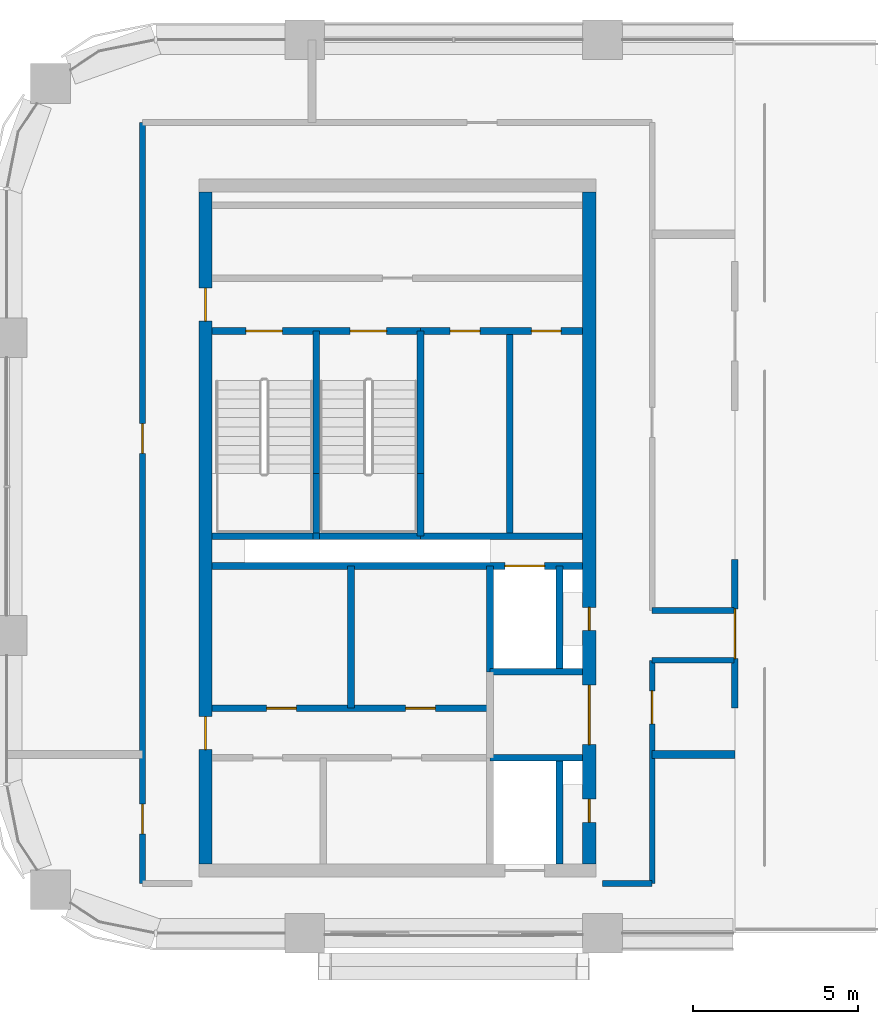
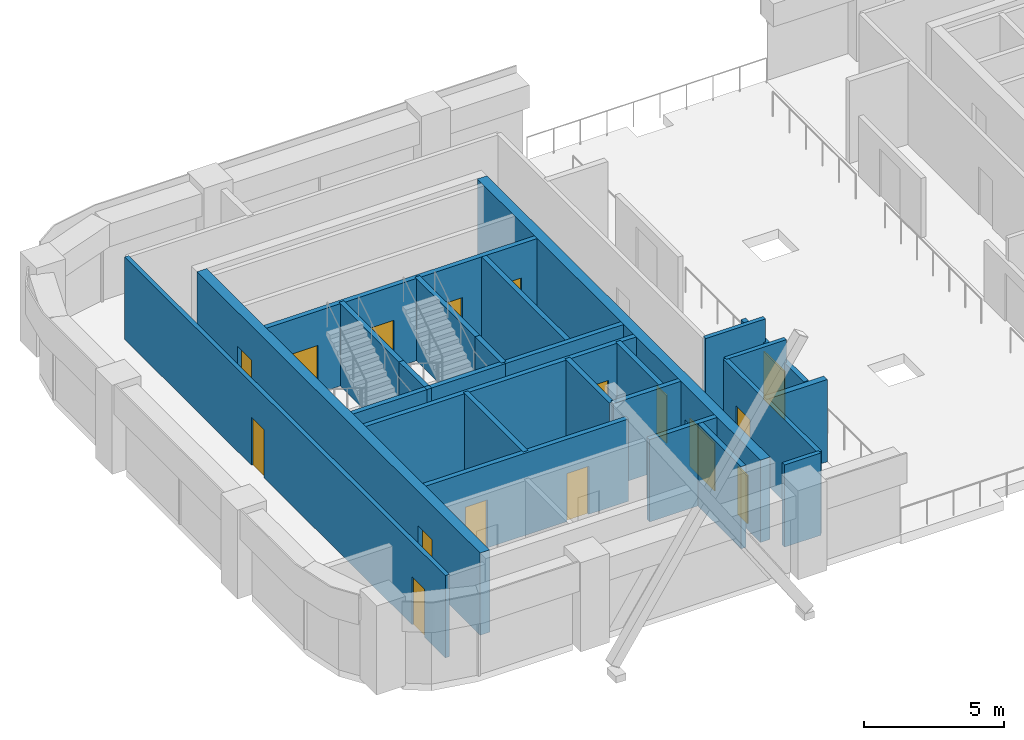
# One storey, part 6 of 11: 28 walls, 16 doors, 16 openings.
"""IFC4 building model written with IfcOpenShell, lengths in metres."""

from ifc_helpers import new_model, si_unit, direction, frame, frame_2d, origin, place, context, subcontext, project, spatial, rectangle, extrude, material, layer, layer_set, type_object, element, fill, save


model = new_model("IFC4")

# Units and contexts
model_context = context("Model", 3, precision=1e-05, world=origin(), true_north=direction((0.0, 1.0)))
body_context = subcontext(model_context, "Body", "Model", "MODEL_VIEW")
ifc_project = project(units=[si_unit("LENGTHUNIT", "METRE"), si_unit("AREAUNIT", "SQUARE_METRE"), si_unit("VOLUMEUNIT", "CUBIC_METRE"), si_unit("PLANEANGLEUNIT", "RADIAN"), si_unit("MASSUNIT", "GRAM", prefix="KILO")], contexts=[model_context])

# Site, building, storey
site_placement = place(None, origin())
site = spatial("IfcSite", under=ifc_project, at=site_placement, CompositionType="ELEMENT")
building_placement = place(site_placement, origin())
building = spatial("IfcBuilding", under=site, at=building_placement, Name="Tessera Arch", CompositionType="ELEMENT")
storey_placement = place(building_placement, frame((0.0, 0.0, 203.300048828125)))
storey = spatial("IfcBuildingStorey", under=building, at=storey_placement, Name="L48", CompositionType="ELEMENT", Elevation=203.300048828125)

# Walls
ifc_material_1 = material(Name="Gypsum board on steel stud", Category="steel")
ifc_layer_1 = layer(ifc_material_1, 0.125)
ifc_layer_set_1 = layer_set([ifc_layer_1], Name="Core partition 125 EI 60")
wall_type_1 = type_object("IfcWallType", Name="Core partition 125 EI 60", PredefinedType="PARTITIONING", material=ifc_layer_set_1)
wall_1_placement = place(storey_placement, frame((10.39990234375, 33.800048828125, 0.0), z_axis=(0.0, 0.0, 1.0), x_axis=(0.0, 1.0, 0.0)))
element("IfcWall", 1, at=wall_1_placement, inside=storey, type_object=wall_type_1, Name="L48 C2 partition wall 4", PredefinedType="PARTITIONING", context=body_context, shape_type="SweptSolid", body=[
    extrude(rectangle(XDim=4.300048828125, YDim=0.199951171875, at=frame_2d((2.14990234375, 0.0))), origin(), (0.0, 0.0, 1.0), 3.599853515625),
])
wall_2_placement = place(storey_placement, frame((15.195068359375, 39.0, 0.0), z_axis=(0.0, 0.0, 1.0), x_axis=(0.0, 1.0, 0.0)))
element("IfcWall", 2, at=wall_2_placement, inside=storey, type_object=wall_type_1, Name="L48 C2 partition wall 10", PredefinedType="PARTITIONING", context=body_context, shape_type="SweptSolid", body=[
    extrude(rectangle(XDim=6.199951171875, YDim=0.199951171875, at=frame_2d((3.10009765625, 0.0))), origin(), (0.0, 0.0, 1.0), 3.599853515625),
])

# Wall, openings, doors
wall_3_placement = place(storey_placement, frame((6.199951171875, 33.800048828125, 0.0), z_axis=(0.0, 0.0, 1.0), x_axis=(1.0, 0.0, 0.0)))
wall_3 = element("IfcWall", 3, at=wall_3_placement, inside=storey, type_object=wall_type_1, Name="L48 C2 partition wall 15", PredefinedType="PARTITIONING", context=body_context, shape_type="SweptSolid", body=[
    extrude(rectangle(XDim=8.400146484375, YDim=0.199951171875, at=frame_2d((4.2001953125, 0.0))), origin(), (0.0, 0.0, 1.0), 3.599853515625),
])
opening_1_placement = place(wall_3_placement, frame((1.64990234375, 0.0, 0.0)))
opening_1 = element("IfcOpeningElement", 4, at=opening_1_placement, cuts=wall_3, Name="Opening L48-C34", PredefinedType="OPENING", context=body_context, shape_type="SweptSolid", body=[
    extrude(rectangle(XDim=0.89990234375, YDim=2.10009765625, at=frame_2d((0.449951171875, 1.050048828125))), frame((0.0, 0.10986328125, 0.0), z_axis=(0.0, -1.0, 0.0), x_axis=(1.0, 0.0, 0.0)), (0.0, 0.0, 1.0), 0.219970703125),
])
opening_2_placement = place(wall_3_placement, frame((5.85009765625, 0.0, 0.0)))
opening_2 = element("IfcOpeningElement", 5, at=opening_2_placement, cuts=wall_3, Name="Opening L48-C35", PredefinedType="OPENING", context=body_context, shape_type="SweptSolid", body=[
    extrude(rectangle(XDim=0.89990234375, YDim=2.10009765625, at=frame_2d((0.449951171875, 1.050048828125))), frame((0.0, 0.10986328125, 0.0), z_axis=(0.0, -1.0, 0.0), x_axis=(1.0, 0.0, 0.0)), (0.0, 0.0, 1.0), 0.219970703125),
])
ifc_material_2 = material(Name="Steel door leaf", Category="steel")
door_type_1 = type_object("IfcDoorType", Name="Store door FD30S 900 x 2100", OperationType="SINGLE_SWING_LEFT", PredefinedType="DOOR", material=ifc_material_2)
door_1_placement = place(opening_1_placement, origin())
door_1 = element("IfcDoor", 6, at=door_1_placement, inside=storey, type_object=door_type_1, Name="L48 C2 door 15 C34 type D09", OperationType="SINGLE_SWING_LEFT", OverallHeight=2.10009765625, OverallWidth=0.89990234375, PredefinedType="DOOR", context=body_context, shape_type="SweptSolid", body=[
    extrude(rectangle(XDim=0.89990234375, YDim=2.10009765625, at=frame_2d((0.449951171875, 1.050048828125))), frame((0.0, 0.02490234375, 0.0), z_axis=(0.0, -1.0, 0.0), x_axis=(1.0, 0.0, 0.0)), (0.0, 0.0, 1.0), 0.050048828125),
])
fill(opening_1, door_1)
door_2_placement = place(opening_2_placement, origin())
door_2 = element("IfcDoor", 7, at=door_2_placement, inside=storey, type_object=door_type_1, Name="L48 C2 door 16 C35 type D09", OperationType="SINGLE_SWING_RIGHT", OverallHeight=2.10009765625, OverallWidth=0.89990234375, PredefinedType="DOOR", context=body_context, shape_type="SweptSolid", body=[
    extrude(rectangle(XDim=0.89990234375, YDim=2.10009765625, at=frame_2d((0.449951171875, 1.050048828125))), frame((0.0, 0.02490234375, 0.0), z_axis=(0.0, -1.0, 0.0), x_axis=(1.0, 0.0, 0.0)), (0.0, 0.0, 1.0), 0.050048828125),
])
fill(opening_2, door_2)

wall_4_placement = place(storey_placement, frame((12.5, 45.199951171875, 0.0), z_axis=(0.0, 0.0, 1.0), x_axis=(1.0, 0.0, 0.0)))
wall_4 = element("IfcWall", 8, at=wall_4_placement, inside=storey, type_object=wall_type_1, Name="L48 C2 partition wall 22", PredefinedType="PARTITIONING", context=body_context, shape_type="SweptSolid", body=[
    extrude(rectangle(XDim=4.89990234375, YDim=0.199951171875, at=frame_2d((2.449951171875, 0.0))), origin(), (0.0, 0.0, 1.0), 3.599853515625),
])
opening_3_placement = place(wall_4_placement, frame((0.8974609375, 0.0, 0.0)))
opening_3 = element("IfcOpeningElement", 9, at=opening_3_placement, cuts=wall_4, Name="Opening L48-C30", PredefinedType="OPENING", context=body_context, shape_type="SweptSolid", body=[
    extrude(rectangle(XDim=0.89990234375, YDim=2.10009765625, at=frame_2d((0.449951171875, 1.050048828125))), frame((0.0, 0.10986328125, 0.0), z_axis=(0.0, -1.0, 0.0), x_axis=(1.0, 0.0, 0.0)), (0.0, 0.0, 1.0), 0.219970703125),
])
opening_4_placement = place(wall_4_placement, frame((3.347412109375, 0.0, 0.0)))
opening_4 = element("IfcOpeningElement", 10, at=opening_4_placement, cuts=wall_4, Name="Opening L48-C31", PredefinedType="OPENING", context=body_context, shape_type="SweptSolid", body=[
    extrude(rectangle(XDim=0.89990234375, YDim=2.10009765625, at=frame_2d((0.449951171875, 1.050048828125))), frame((0.0, 0.10986328125, 0.0), z_axis=(0.0, -1.0, 0.0), x_axis=(1.0, 0.0, 0.0)), (0.0, 0.0, 1.0), 0.219970703125),
])
door_3_placement = place(opening_3_placement, origin())
door_3 = element("IfcDoor", 11, at=door_3_placement, inside=storey, type_object=door_type_1, Name="L48 C2 door 11 C30 type D09", OperationType="SINGLE_SWING_LEFT", OverallHeight=2.10009765625, OverallWidth=0.89990234375, PredefinedType="DOOR", context=body_context, shape_type="SweptSolid", body=[
    extrude(rectangle(XDim=0.89990234375, YDim=2.10009765625, at=frame_2d((0.449951171875, 1.050048828125))), frame((0.0, 0.02490234375, 0.0), z_axis=(0.0, -1.0, 0.0), x_axis=(1.0, 0.0, 0.0)), (0.0, 0.0, 1.0), 0.050048828125),
])
fill(opening_3, door_3)
door_4_placement = place(opening_4_placement, origin())
door_4 = element("IfcDoor", 12, at=door_4_placement, inside=storey, type_object=door_type_1, Name="L48 C2 door 12 C31 type D09", OperationType="SINGLE_SWING_RIGHT", OverallHeight=2.10009765625, OverallWidth=0.89990234375, PredefinedType="DOOR", context=body_context, shape_type="SweptSolid", body=[
    extrude(rectangle(XDim=0.89990234375, YDim=2.10009765625, at=frame_2d((0.449951171875, 1.050048828125))), frame((0.0, 0.02490234375, 0.0), z_axis=(0.0, -1.0, 0.0), x_axis=(1.0, 0.0, 0.0)), (0.0, 0.0, 1.0), 0.050048828125),
])
fill(opening_4, door_4)

ifc_material_3 = material(Name="Concrete C50/60", Category="concrete")
ifc_layer_2 = layer(ifc_material_3, 0.39990234375)
ifc_layer_set_2 = layer_set([ifc_layer_2], Name="Core shell wall 400 C50-60")
wall_type_2 = type_object("IfcWallType", Name="Core shell wall 400 C50-60", PredefinedType="SHEAR", material=ifc_layer_set_2)
wall_5_placement = place(storey_placement, frame((6.0, 29.10009765625, 0.0), z_axis=(0.0, 0.0, 1.0), x_axis=(0.0, 1.0, 0.0)))
wall_5 = element("IfcWall", 13, at=wall_5_placement, inside=storey, type_object=wall_type_2, Name="L48 C2 core wall W", PredefinedType="SHEAR", context=body_context, shape_type="SweptSolid", body=[
    extrude(rectangle(XDim=20.2998046875, YDim=0.39990234375, at=frame_2d((10.14990234375, 0.0))), origin(), (0.0, 0.0, 1.0), 3.599853515625),
])
opening_5_placement = place(wall_5_placement, frame((3.449951171875, 0.0, 0.0)))
opening_5 = element("IfcOpeningElement", 14, at=opening_5_placement, cuts=wall_5, Name="Opening L48-C27", PredefinedType="OPENING", context=body_context, shape_type="SweptSolid", body=[
    extrude(rectangle(XDim=1.0, YDim=2.10009765625, at=frame_2d((0.5, 1.050048828125))), frame((0.0, 0.2099609375, 0.0), z_axis=(0.0, -1.0, 0.0), x_axis=(1.0, 0.0, 0.0)), (0.0, 0.0, 1.0), 0.419921875),
])
opening_6_placement = place(wall_5_placement, frame((16.39990234375, 0.0, 0.0)))
opening_6 = element("IfcOpeningElement", 15, at=opening_6_placement, cuts=wall_5, Name="Opening L48-C28", PredefinedType="OPENING", context=body_context, shape_type="SweptSolid", body=[
    extrude(rectangle(XDim=1.0, YDim=2.10009765625, at=frame_2d((0.5, 1.050048828125))), frame((0.0, 0.2099609375, 0.0), z_axis=(0.0, -1.0, 0.0), x_axis=(1.0, 0.0, 0.0)), (0.0, 0.0, 1.0), 0.419921875),
])
ifc_material_4 = material(Name="Steel door leaf", Category="steel")
door_type_2 = type_object("IfcDoorType", Name="Corridor door FD60 1000 x 2100", OperationType="SINGLE_SWING_LEFT", PredefinedType="DOOR", material=ifc_material_4)
door_5_placement = place(opening_5_placement, origin())
door_5 = element("IfcDoor", 16, at=door_5_placement, inside=storey, type_object=door_type_2, Name="L48 C2 door 8 C27 type D12", OperationType="SINGLE_SWING_LEFT", OverallHeight=2.10009765625, OverallWidth=1.0, PredefinedType="DOOR", context=body_context, shape_type="SweptSolid", body=[
    extrude(rectangle(XDim=1.0, YDim=2.10009765625, at=frame_2d((0.5, 1.050048828125))), frame((0.0, 0.02490234375, 0.0), z_axis=(0.0, -1.0, 0.0), x_axis=(1.0, 0.0, 0.0)), (0.0, 0.0, 1.0), 0.050048828125),
])
fill(opening_5, door_5)
door_6_placement = place(opening_6_placement, origin())
door_6 = element("IfcDoor", 17, at=door_6_placement, inside=storey, type_object=door_type_2, Name="L48 C2 door 9 C28 type D12", OperationType="SINGLE_SWING_RIGHT", OverallHeight=2.10009765625, OverallWidth=1.0, PredefinedType="DOOR", context=body_context, shape_type="SweptSolid", body=[
    extrude(rectangle(XDim=1.0, YDim=2.10009765625, at=frame_2d((0.5, 1.050048828125))), frame((0.0, 0.02490234375, 0.0), z_axis=(0.0, -1.0, 0.0), x_axis=(1.0, 0.0, 0.0)), (0.0, 0.0, 1.0), 0.050048828125),
])
fill(opening_6, door_6)

wall_6_placement = place(storey_placement, frame((17.60009765625, 29.10009765625, 0.0), z_axis=(0.0, 0.0, 1.0), x_axis=(0.0, 1.0, 0.0)))
wall_6 = element("IfcWall", 18, at=wall_6_placement, inside=storey, type_object=wall_type_2, Name="L48 C2 core wall E", PredefinedType="SHEAR", context=body_context, shape_type="SweptSolid", body=[
    extrude(rectangle(XDim=20.2998046875, YDim=0.39990234375, at=frame_2d((10.14990234375, 0.0))), origin(), (0.0, 0.0, 1.0), 3.599853515625),
])
opening_7_placement = place(wall_6_placement, frame((1.25, 0.0, 0.0)))
opening_7 = element("IfcOpeningElement", 19, at=opening_7_placement, cuts=wall_6, Name="Opening L48-C22", PredefinedType="OPENING", context=body_context, shape_type="SweptSolid", body=[
    extrude(rectangle(XDim=0.699951171875, YDim=2.10009765625, at=frame_2d((0.35009765625, 1.050048828125))), frame((0.0, 0.2099609375, 0.0), z_axis=(0.0, -1.0, 0.0), x_axis=(1.0, 0.0, 0.0)), (0.0, 0.0, 1.0), 0.419921875),
])
opening_8_placement = place(wall_6_placement, frame((7.050048828125, 0.0, 0.0)))
opening_8 = element("IfcOpeningElement", 20, at=opening_8_placement, cuts=wall_6, Name="Opening L48-C23", PredefinedType="OPENING", context=body_context, shape_type="SweptSolid", body=[
    extrude(rectangle(XDim=0.699951171875, YDim=2.10009765625, at=frame_2d((0.35009765625, 1.050048828125))), frame((0.0, 0.2099609375, 0.0), z_axis=(0.0, -1.0, 0.0), x_axis=(1.0, 0.0, 0.0)), (0.0, 0.0, 1.0), 0.419921875),
])
opening_9_placement = place(wall_6_placement, frame((3.60009765625, 0.0, 0.0)))
opening_9 = element("IfcOpeningElement", 21, at=opening_9_placement, cuts=wall_6, Name="Opening L48-C26", PredefinedType="OPENING", context=body_context, shape_type="SweptSolid", body=[
    extrude(rectangle(XDim=1.800048828125, YDim=2.10009765625, at=frame_2d((0.89990234375, 1.050048828125))), frame((0.0, 0.2099609375, 0.0), z_axis=(0.0, -1.0, 0.0), x_axis=(1.0, 0.0, 0.0)), (0.0, 0.0, 1.0), 0.419921875),
])
ifc_material_5 = material(Name="Glazed steel door leaf", Category="steel")
door_type_3 = type_object("IfcDoorType", Name="Lobby double door FD30S 1800 x 2100", OperationType="DOUBLE_DOOR_SINGLE_SWING", PredefinedType="DOOR", material=ifc_material_5)
door_7_placement = place(opening_9_placement, origin())
door_7 = element("IfcDoor", 22, at=door_7_placement, inside=storey, type_object=door_type_3, Name="L48 C2 door 7 C26 type D06", OperationType="DOUBLE_DOOR_SINGLE_SWING", OverallHeight=2.10009765625, OverallWidth=1.800048828125, PredefinedType="DOOR", context=body_context, shape_type="SweptSolid", body=[
    extrude(rectangle(XDim=1.800048828125, YDim=2.10009765625, at=frame_2d((0.89990234375, 1.050048828125))), frame((0.0, 0.02490234375, 0.0), z_axis=(0.0, -1.0, 0.0), x_axis=(1.0, 0.0, 0.0)), (0.0, 0.0, 1.0), 0.050048828125),
])
fill(opening_9, door_7)
ifc_material_6 = material(Name="Steel door leaf", Category="steel")
door_type_4 = type_object("IfcDoorType", Name="Service shaft door FD60 700 x 2100", OperationType="SINGLE_SWING_LEFT", PredefinedType="DOOR", material=ifc_material_6)
door_8_placement = place(opening_7_placement, origin())
door_8 = element("IfcDoor", 23, at=door_8_placement, inside=storey, type_object=door_type_4, Name="L48 C2 door 3 C22 type D07", OperationType="SINGLE_SWING_LEFT", OverallHeight=2.10009765625, OverallWidth=0.699951171875, PredefinedType="DOOR", context=body_context, shape_type="SweptSolid", body=[
    extrude(rectangle(XDim=0.699951171875, YDim=2.10009765625, at=frame_2d((0.35009765625, 1.050048828125))), frame((0.0, 0.02490234375, 0.0), z_axis=(0.0, -1.0, 0.0), x_axis=(1.0, 0.0, 0.0)), (0.0, 0.0, 1.0), 0.050048828125),
])
fill(opening_7, door_8)
door_9_placement = place(opening_8_placement, origin())
door_9 = element("IfcDoor", 24, at=door_9_placement, inside=storey, type_object=door_type_4, Name="L48 C2 door 4 C23 type D07", OperationType="SINGLE_SWING_LEFT", OverallHeight=2.10009765625, OverallWidth=0.699951171875, PredefinedType="DOOR", context=body_context, shape_type="SweptSolid", body=[
    extrude(rectangle(XDim=0.699951171875, YDim=2.10009765625, at=frame_2d((0.35009765625, 1.050048828125))), frame((0.0, 0.02490234375, 0.0), z_axis=(0.0, -1.0, 0.0), x_axis=(1.0, 0.0, 0.0)), (0.0, 0.0, 1.0), 0.050048828125),
])
fill(opening_8, door_9)

# Walls
ifc_material_7 = material(Name="Gypsum board on deep steel stud with mineral wool", Category="steel")
ifc_layer_3 = layer(ifc_material_7, 0.175048828125)
ifc_layer_set_3 = layer_set([ifc_layer_3], Name="Corridor wall 175 EI 60")
wall_type_3 = type_object("IfcWallType", Name="Corridor wall 175 EI 60", PredefinedType="PARTITIONING", material=ifc_layer_set_3)
wall_7_placement = place(storey_placement, frame((18.0, 28.5, 0.0), z_axis=(0.0, 0.0, 1.0), x_axis=(1.0, 0.0, 0.0)))
element("IfcWall", 25, at=wall_7_placement, inside=storey, type_object=wall_type_3, Name="L48 partition 2", PredefinedType="PARTITIONING", context=body_context, shape_type="SweptSolid", body=[
    extrude(rectangle(XDim=1.5, YDim=0.175048828125, at=frame_2d((0.75, 0.0))), origin(), (0.0, 0.0, 1.0), 3.599853515625),
])
for number, where, z_axis, x_axis, name in (
    (26, (19.5, 35.25, 0.0), (0.0, 0.0, 1.0), (1.0, 0.0, 0.0), "L48 partition 5"),
    (27, (19.5, 36.75, 0.0), (0.0, 0.0, 1.0), (1.0, 0.0, 0.0), "L48 partition 7"),
):
    element("IfcWall", number, at=place(storey_placement, frame(where, z_axis=z_axis, x_axis=x_axis)), inside=storey, type_object=wall_type_3, Name=name, PredefinedType="PARTITIONING", context=body_context, shape_type="SweptSolid", body=[
        extrude(rectangle(XDim=2.474609375, YDim=0.175048828125, at=frame_2d((1.2373046875, 0.0))), origin(), (0.0, 0.0, 1.0), 3.599853515625),
    ])

# Wall, openings, doors
wall_8_placement = place(storey_placement, frame((4.10009765625, 28.5, 0.0), z_axis=(0.0, 0.0, 1.0), x_axis=(0.0, 1.0, 0.0)))
wall_8 = element("IfcWall", 28, at=wall_8_placement, inside=storey, type_object=wall_type_3, Name="L48 partition 11", PredefinedType="PARTITIONING", context=body_context, shape_type="SweptSolid", body=[
    extrude(rectangle(XDim=23.0, YDim=0.175048828125, at=frame_2d((11.5, 0.0))), origin(), (0.0, 0.0, 1.0), 3.599853515625),
])
opening_10_placement = place(wall_8_placement, frame((1.5, 0.0, 0.0)))
opening_10 = element("IfcOpeningElement", 29, at=opening_10_placement, cuts=wall_8, Name="Opening L48-D001", PredefinedType="OPENING", context=body_context, shape_type="SweptSolid", body=[
    extrude(rectangle(XDim=0.89990234375, YDim=2.10009765625, at=frame_2d((0.449951171875, 1.050048828125))), frame((0.0, 0.097412109375, 0.0), z_axis=(0.0, -1.0, 0.0), x_axis=(1.0, 0.0, 0.0)), (0.0, 0.0, 1.0), 0.195068359375),
])
opening_11_placement = place(wall_8_placement, frame((13.0, 0.0, 0.0)))
opening_11 = element("IfcOpeningElement", 30, at=opening_11_placement, cuts=wall_8, Name="Opening L48-D007", PredefinedType="OPENING", context=body_context, shape_type="SweptSolid", body=[
    extrude(rectangle(XDim=0.89990234375, YDim=2.10009765625, at=frame_2d((0.449951171875, 1.050048828125))), frame((0.0, 0.097412109375, 0.0), z_axis=(0.0, -1.0, 0.0), x_axis=(1.0, 0.0, 0.0)), (0.0, 0.0, 1.0), 0.195068359375),
])
ifc_material_8 = material(Name="Timber door leaf", Category="wood")
door_type_5 = type_object("IfcDoorType", Name="Room door 900 x 2100", OperationType="SINGLE_SWING_LEFT", PredefinedType="DOOR", material=ifc_material_8)
door_10_placement = place(opening_10_placement, origin())
door_10 = element("IfcDoor", 31, at=door_10_placement, inside=storey, type_object=door_type_5, Name="L48 door D001 type D01", OperationType="SINGLE_SWING_LEFT", OverallHeight=2.10009765625, OverallWidth=0.89990234375, PredefinedType="DOOR", context=body_context, shape_type="SweptSolid", body=[
    extrude(rectangle(XDim=0.89990234375, YDim=2.10009765625, at=frame_2d((0.449951171875, 1.050048828125))), frame((0.0, 0.02490234375, 0.0), z_axis=(0.0, -1.0, 0.0), x_axis=(1.0, 0.0, 0.0)), (0.0, 0.0, 1.0), 0.050048828125),
])
fill(opening_10, door_10)
door_11_placement = place(opening_11_placement, origin())
door_11 = element("IfcDoor", 32, at=door_11_placement, inside=storey, type_object=door_type_5, Name="L48 door D007 type D01", OperationType="SINGLE_SWING_LEFT", OverallHeight=2.10009765625, OverallWidth=0.89990234375, PredefinedType="DOOR", context=body_context, shape_type="SweptSolid", body=[
    extrude(rectangle(XDim=0.89990234375, YDim=2.10009765625, at=frame_2d((0.449951171875, 1.050048828125))), frame((0.0, 0.02490234375, 0.0), z_axis=(0.0, -1.0, 0.0), x_axis=(1.0, 0.0, 0.0)), (0.0, 0.0, 1.0), 0.050048828125),
])
fill(opening_11, door_11)

# Wall, opening, door
wall_9_placement = place(storey_placement, frame((19.5, 28.5, 0.0), z_axis=(0.0, 0.0, 1.0), x_axis=(0.0, 1.0, 0.0)))
wall_9 = element("IfcWall", 33, at=wall_9_placement, inside=storey, type_object=wall_type_3, Name="L48 partition 12", PredefinedType="PARTITIONING", context=body_context, shape_type="SweptSolid", body=[
    extrude(rectangle(XDim=6.75, YDim=0.175048828125, at=frame_2d((3.375, 0.0))), origin(), (0.0, 0.0, 1.0), 3.599853515625),
])
opening_12_placement = place(wall_9_placement, frame((4.824951171875, 0.0, 0.0)))
opening_12 = element("IfcOpeningElement", 34, at=opening_12_placement, cuts=wall_9, Name="Opening L48-D003", PredefinedType="OPENING", context=body_context, shape_type="SweptSolid", body=[
    extrude(rectangle(XDim=1.0, YDim=2.10009765625, at=frame_2d((0.5, 1.050048828125))), frame((0.0, 0.097412109375, 0.0), z_axis=(0.0, -1.0, 0.0), x_axis=(1.0, 0.0, 0.0)), (0.0, 0.0, 1.0), 0.195068359375),
])
ifc_material_9 = material(Name="Fire-rated door leaf")
door_type_6 = type_object("IfcDoorType", Name="Entrance door FD30S 1000 x 2100", OperationType="SINGLE_SWING_LEFT", PredefinedType="DOOR", material=ifc_material_9)
door_12_placement = place(opening_12_placement, origin())
door_12 = element("IfcDoor", 35, at=door_12_placement, inside=storey, type_object=door_type_6, Name="L48 door D003 type D03", OperationType="SINGLE_SWING_RIGHT", OverallHeight=2.10009765625, OverallWidth=1.0, PredefinedType="DOOR", context=body_context, shape_type="SweptSolid", body=[
    extrude(rectangle(XDim=1.0, YDim=2.10009765625, at=frame_2d((0.5, 1.050048828125))), frame((0.0, 0.02490234375, 0.0), z_axis=(0.0, -1.0, 0.0), x_axis=(1.0, 0.0, 0.0)), (0.0, 0.0, 1.0), 0.050048828125),
])
fill(opening_12, door_12)

ifc_material_10 = material(Name="Aluminium cladding pale metal anodised", Category="aluminium")
ifc_layer_4 = layer(ifc_material_10, 0.199951171875)
ifc_layer_set_4 = layer_set([ifc_layer_4], Name="Envelope wall pale metal")
wall_type_4 = type_object("IfcWallType", Name="Envelope wall pale metal", PredefinedType="SOLIDWALL", material=ifc_layer_set_4)
wall_10_placement = place(storey_placement, frame((22.0, 33.800048828125, 0.0), z_axis=(0.0, 0.0, 1.0), x_axis=(0.0, 1.0, 0.0)))
wall_10 = element("IfcWall", 36, at=wall_10_placement, inside=storey, type_object=wall_type_4, Name="Door bay wall E22.27/0 L48", PredefinedType="SOLIDWALL", context=body_context, shape_type="SweptSolid", body=[
    extrude(rectangle(XDim=4.5, YDim=0.199951171875, at=frame_2d((2.25, 0.0))), origin(), (0.0, 0.0, 1.0), 2.599853515625),
])
opening_13_placement = place(wall_10_placement, frame((1.5, 0.0, 0.0)))
opening_13 = element("IfcOpeningElement", 37, at=opening_13_placement, cuts=wall_10, Name="Opening L48-X01", PredefinedType="OPENING", context=body_context, shape_type="SweptSolid", body=[
    extrude(rectangle(XDim=1.5, YDim=2.10009765625, at=frame_2d((0.75, 1.050048828125))), frame((0.0, 0.10986328125, 0.0), z_axis=(0.0, -1.0, 0.0), x_axis=(1.0, 0.0, 0.0)), (0.0, 0.0, 1.0), 0.219970703125),
])
ifc_material_11 = material(Name="Aluminium frame and clear glass", Category="aluminium")
door_type_7 = type_object("IfcDoorType", Name="Terrace door glazed double leaf", OperationType="DOUBLE_DOOR_SINGLE_SWING", PredefinedType="DOOR", material=ifc_material_11)
door_13_placement = place(opening_13_placement, origin())
door_13 = element("IfcDoor", 38, at=door_13_placement, inside=storey, type_object=door_type_7, Name="Door L48-X-E22.27/0-1 X01", OperationType="DOUBLE_DOOR_SINGLE_SWING", OverallHeight=2.10009765625, OverallWidth=1.5, PredefinedType="DOOR", context=body_context, shape_type="SweptSolid", body=[
    extrude(rectangle(XDim=1.5, YDim=2.10009765625, at=frame_2d((0.75, 1.050048828125))), frame((0.0, 0.02490234375, 0.0), z_axis=(0.0, -1.0, 0.0), x_axis=(1.0, 0.0, 0.0)), (0.0, 0.0, 1.0), 0.050048828125),
])
fill(opening_13, door_13)

# Walls
ifc_material_12 = material(Name="Double gypsum board on twin steel stud with acoustic mineral wool", Category="steel")
ifc_layer_5 = layer(ifc_material_12, 0.25)
ifc_layer_set_5 = layer_set([ifc_layer_5], Name="Party wall 250 EI 60")
wall_type_5 = type_object("IfcWallType", Name="Party wall 250 EI 60", PredefinedType="PARTITIONING", material=ifc_layer_set_5)
wall_11_placement = place(storey_placement, frame((19.5, 32.39990234375, 0.0), z_axis=(0.0, 0.0, 1.0), x_axis=(1.0, 0.0, 0.0)))
element("IfcWall", 39, at=wall_11_placement, inside=storey, type_object=wall_type_5, Name="L48 partition 18", PredefinedType="PARTITIONING", context=body_context, shape_type="SweptSolid", body=[
    extrude(rectangle(XDim=2.5, YDim=0.25, at=frame_2d((1.25, 0.0))), origin(), (0.0, 0.0, 1.0), 3.599853515625),
])
ifc_material_13 = material(Name="Concrete C40/50", Category="concrete")
ifc_layer_6 = layer(ifc_material_13, 0.199951171875)
ifc_layer_set_6 = layer_set([ifc_layer_6], Name="Shaft wall 200 EI 120")
wall_type_6 = type_object("IfcWallType", Name="Shaft wall 200 EI 120", PredefinedType="SOLIDWALL", material=ifc_layer_set_6)
wall_12_placement = place(storey_placement, frame((14.60009765625, 34.89990234375, 0.0), z_axis=(0.0, 0.0, 1.0), x_axis=(0.0, 1.0, 0.0)))
element("IfcWall", 40, at=wall_12_placement, inside=storey, type_object=wall_type_6, Name="L48 C2 shaft wall 9", PredefinedType="SOLIDWALL", context=body_context, shape_type="SweptSolid", body=[
    extrude(rectangle(XDim=3.2001953125, YDim=0.199951171875, at=frame_2d((1.60009765625, 0.0))), origin(), (0.0, 0.0, 1.0), 3.599853515625),
])
wall_13_placement = place(storey_placement, frame((16.699951171875, 29.10009765625, 0.0), z_axis=(0.0, 0.0, 1.0), x_axis=(0.0, 1.0, 0.0)))
element("IfcWall", 41, at=wall_13_placement, inside=storey, type_object=wall_type_6, Name="L48 C2 shaft wall 11", PredefinedType="SOLIDWALL", context=body_context, shape_type="SweptSolid", body=[
    extrude(rectangle(XDim=3.199951171875, YDim=0.199951171875, at=frame_2d((1.60009765625, 0.0))), origin(), (0.0, 0.0, 1.0), 3.599853515625),
])
wall_14_placement = place(storey_placement, frame((16.699951171875, 34.89990234375, 0.0), z_axis=(0.0, 0.0, 1.0), x_axis=(0.0, 1.0, 0.0)))
element("IfcWall", 42, at=wall_14_placement, inside=storey, type_object=wall_type_6, Name="L48 C2 shaft wall 12", PredefinedType="SOLIDWALL", context=body_context, shape_type="SweptSolid", body=[
    extrude(rectangle(XDim=3.2001953125, YDim=0.199951171875, at=frame_2d((1.60009765625, 0.0))), origin(), (0.0, 0.0, 1.0), 3.599853515625),
])
for number, where, z_axis, x_axis, name in (
    (43, (14.60009765625, 32.300048828125, 0.0), (0.0, 0.0, 1.0), (1.0, 0.0, 0.0), "L48 C2 shaft wall 14"),
    (44, (14.60009765625, 34.89990234375, 0.0), (0.0, 0.0, 1.0), (1.0, 0.0, 0.0), "L48 C2 shaft wall 16"),
):
    element("IfcWall", number, at=place(storey_placement, frame(where, z_axis=z_axis, x_axis=x_axis)), inside=storey, type_object=wall_type_6, Name=name, PredefinedType="SOLIDWALL", context=body_context, shape_type="SweptSolid", body=[
        extrude(rectangle(XDim=2.7998046875, YDim=0.199951171875, at=frame_2d((1.39990234375, 0.0))), origin(), (0.0, 0.0, 1.0), 3.599853515625),
    ])

# Wall, opening, door
wall_15_placement = place(storey_placement, frame((6.199951171875, 38.10009765625, 0.0), z_axis=(0.0, 0.0, 1.0), x_axis=(1.0, 0.0, 0.0)))
wall_15 = element("IfcWall", 45, at=wall_15_placement, inside=storey, type_object=wall_type_6, Name="L48 C2 shaft wall 17", PredefinedType="SOLIDWALL", context=body_context, shape_type="SweptSolid", body=[
    extrude(rectangle(XDim=11.199951171875, YDim=0.199951171875, at=frame_2d((5.60009765625, 0.0))), origin(), (0.0, 0.0, 1.0), 3.599853515625),
])
opening_14_placement = place(wall_15_placement, frame((8.85009765625, 0.0, 0.0)))
opening_14 = element("IfcOpeningElement", 46, at=opening_14_placement, cuts=wall_15, Name="Opening L48-C21", PredefinedType="OPENING", context=body_context, shape_type="SweptSolid", body=[
    extrude(rectangle(XDim=1.199951171875, YDim=2.10009765625, at=frame_2d((0.60009765625, 1.050048828125))), frame((0.0, 0.10986328125, 0.0), z_axis=(0.0, -1.0, 0.0), x_axis=(1.0, 0.0, 0.0)), (0.0, 0.0, 1.0), 0.219970703125),
])
ifc_material_14 = material(Name="Stainless steel AISI 304", Category="steel")
door_type_8 = type_object("IfcDoorType", Name="Sliding landing door 1200 x 2100", OperationType="SLIDING_TO_LEFT", PredefinedType="DOOR", material=ifc_material_14)
door_14_placement = place(opening_14_placement, origin())
door_14 = element("IfcDoor", 47, at=door_14_placement, inside=storey, type_object=door_type_8, Name="L48 HR8 lift landing door C21 type LD", OperationType="SLIDING_TO_LEFT", OverallHeight=2.10009765625, OverallWidth=1.199951171875, PredefinedType="DOOR", context=body_context, shape_type="SweptSolid", body=[
    extrude(rectangle(XDim=1.199951171875, YDim=2.10009765625, at=frame_2d((0.60009765625, 1.050048828125))), frame((0.0, 0.02490234375, 0.0), z_axis=(0.0, -1.0, 0.0), x_axis=(1.0, 0.0, 0.0)), (0.0, 0.0, 1.0), 0.050048828125),
])
fill(opening_14, door_14)

# Walls
wall_16_placement = place(storey_placement, frame((12.5, 39.0, 0.0), z_axis=(0.0, 0.0, 1.0), x_axis=(1.0, 0.0, 0.0)))
element("IfcWall", 48, at=wall_16_placement, inside=storey, type_object=wall_type_6, Name="L48 C2 shaft wall 18", PredefinedType="SOLIDWALL", context=body_context, shape_type="SweptSolid", body=[
    extrude(rectangle(XDim=4.89990234375, YDim=0.199951171875, at=frame_2d((2.449951171875, 0.0))), origin(), (0.0, 0.0, 1.0), 3.599853515625),
])
ifc_material_15 = material(Name="Concrete C40/50", Category="concrete")
ifc_layer_7 = layer(ifc_material_15, 0.199951171875)
ifc_layer_set_7 = layer_set([ifc_layer_7], Name="Stair well wall 200 REI 180")
wall_type_7 = type_object("IfcWallType", Name="Stair well wall 200 REI 180", PredefinedType="SOLIDWALL", material=ifc_layer_set_7)
wall_17_placement = place(storey_placement, frame((9.35009765625, 39.0, 0.0), z_axis=(0.0, 0.0, 1.0), x_axis=(0.0, 1.0, 0.0)))
element("IfcWall", 49, at=wall_17_placement, inside=storey, type_object=wall_type_7, Name="L48 C2 shaft wall 1", PredefinedType="SOLIDWALL", context=body_context, shape_type="SweptSolid", body=[
    extrude(rectangle(XDim=1.89990234375, YDim=0.199951171875, at=frame_2d((0.949951171875, 0.0))), origin(), (0.0, 0.0, 1.0), 3.599853515625),
])
wall_18_placement = place(storey_placement, frame((9.35009765625, 40.89990234375, 0.0), z_axis=(0.0, 0.0, 1.0), x_axis=(0.0, 1.0, 0.0)))
element("IfcWall", 50, at=wall_18_placement, inside=storey, type_object=wall_type_7, Name="L48 C2 shaft wall 2", PredefinedType="SOLIDWALL", context=body_context, shape_type="SweptSolid", body=[
    extrude(rectangle(XDim=4.300048828125, YDim=0.199951171875, at=frame_2d((2.14990234375, 0.0))), origin(), (0.0, 0.0, 1.0), 3.599853515625),
])
wall_19_placement = place(storey_placement, frame((12.5, 39.0, 0.0), z_axis=(0.0, 0.0, 1.0), x_axis=(0.0, 1.0, 0.0)))
element("IfcWall", 51, at=wall_19_placement, inside=storey, type_object=wall_type_7, Name="L48 C2 shaft wall 5", PredefinedType="SOLIDWALL", context=body_context, shape_type="SweptSolid", body=[
    extrude(rectangle(XDim=1.89990234375, YDim=0.199951171875, at=frame_2d((0.949951171875, 0.0))), origin(), (0.0, 0.0, 1.0), 3.599853515625),
])
wall_20_placement = place(storey_placement, frame((12.5, 40.89990234375, 0.0), z_axis=(0.0, 0.0, 1.0), x_axis=(0.0, 1.0, 0.0)))
element("IfcWall", 52, at=wall_20_placement, inside=storey, type_object=wall_type_7, Name="L48 C2 shaft wall 6", PredefinedType="SOLIDWALL", context=body_context, shape_type="SweptSolid", body=[
    extrude(rectangle(XDim=4.300048828125, YDim=0.199951171875, at=frame_2d((2.14990234375, 0.0))), origin(), (0.0, 0.0, 1.0), 3.599853515625),
])
wall_21_placement = place(storey_placement, frame((6.199951171875, 39.0, 0.0), z_axis=(0.0, 0.0, 1.0), x_axis=(1.0, 0.0, 0.0)))
element("IfcWall", 53, at=wall_21_placement, inside=storey, type_object=wall_type_7, Name="L48 C2 shaft wall 19", PredefinedType="SOLIDWALL", context=body_context, shape_type="SweptSolid", body=[
    extrude(rectangle(XDim=3.050048828125, YDim=0.199951171875, at=frame_2d((1.52490234375, 0.0))), origin(), (0.0, 0.0, 1.0), 3.599853515625),
])
wall_22_placement = place(storey_placement, frame((9.25, 39.0, 0.0), z_axis=(0.0, 0.0, 1.0), x_axis=(1.0, 0.0, 0.0)))
element("IfcWall", 54, at=wall_22_placement, inside=storey, type_object=wall_type_7, Name="L48 C2 shaft wall 20", PredefinedType="SOLIDWALL", context=body_context, shape_type="SweptSolid", body=[
    extrude(rectangle(XDim=0.199951171875, YDim=0.199951171875, at=frame_2d((0.10009765625, 0.0))), origin(), (0.0, 0.0, 1.0), 3.599853515625),
])
wall_23_placement = place(storey_placement, frame((9.449951171875, 39.0, 0.0), z_axis=(0.0, 0.0, 1.0), x_axis=(1.0, 0.0, 0.0)))
element("IfcWall", 55, at=wall_23_placement, inside=storey, type_object=wall_type_7, Name="L48 C2 shaft wall 21", PredefinedType="SOLIDWALL", context=body_context, shape_type="SweptSolid", body=[
    extrude(rectangle(XDim=3.050048828125, YDim=0.199951171875, at=frame_2d((1.52490234375, 0.0))), origin(), (0.0, 0.0, 1.0), 3.599853515625),
])

# Wall, openings, doors
wall_24_placement = place(storey_placement, frame((6.199951171875, 45.199951171875, 0.0), z_axis=(0.0, 0.0, 1.0), x_axis=(1.0, 0.0, 0.0)))
wall_24 = element("IfcWall", 56, at=wall_24_placement, inside=storey, type_object=wall_type_7, Name="L48 C2 shaft wall 23", PredefinedType="SOLIDWALL", context=body_context, shape_type="SweptSolid", body=[
    extrude(rectangle(XDim=6.300048828125, YDim=0.199951171875, at=frame_2d((3.14990234375, 0.0))), origin(), (0.0, 0.0, 1.0), 3.599853515625),
])
opening_15_placement = place(wall_24_placement, frame((1.02490234375, 0.0, 0.0)))
opening_15 = element("IfcOpeningElement", 57, at=opening_15_placement, cuts=wall_24, Name="Opening L48-C24", PredefinedType="OPENING", context=body_context, shape_type="SweptSolid", body=[
    extrude(rectangle(XDim=1.10009765625, YDim=2.10009765625, at=frame_2d((0.550048828125, 1.050048828125))), frame((0.0, 0.10986328125, 0.0), z_axis=(0.0, -1.0, 0.0), x_axis=(1.0, 0.0, 0.0)), (0.0, 0.0, 1.0), 0.219970703125),
])
opening_16_placement = place(wall_24_placement, frame((4.175048828125, 0.0, 0.0)))
opening_16 = element("IfcOpeningElement", 58, at=opening_16_placement, cuts=wall_24, Name="Opening L48-C25", PredefinedType="OPENING", context=body_context, shape_type="SweptSolid", body=[
    extrude(rectangle(XDim=1.10009765625, YDim=2.10009765625, at=frame_2d((0.550048828125, 1.050048828125))), frame((0.0, 0.10986328125, 0.0), z_axis=(0.0, -1.0, 0.0), x_axis=(1.0, 0.0, 0.0)), (0.0, 0.0, 1.0), 0.219970703125),
])
ifc_material_16 = material(Name="Steel door leaf", Category="steel")
door_type_9 = type_object("IfcDoorType", Name="Stair door FD60 1100 x 2100", OperationType="SINGLE_SWING_LEFT", PredefinedType="DOOR", material=ifc_material_16)
door_15_placement = place(opening_15_placement, origin())
door_15 = element("IfcDoor", 59, at=door_15_placement, inside=storey, type_object=door_type_9, Name="L48 C2 door 5 C24 type D05", OperationType="SINGLE_SWING_LEFT", OverallHeight=2.10009765625, OverallWidth=1.10009765625, PredefinedType="DOOR", context=body_context, shape_type="SweptSolid", body=[
    extrude(rectangle(XDim=1.10009765625, YDim=2.10009765625, at=frame_2d((0.550048828125, 1.050048828125))), frame((0.0, 0.02490234375, 0.0), z_axis=(0.0, -1.0, 0.0), x_axis=(1.0, 0.0, 0.0)), (0.0, 0.0, 1.0), 0.050048828125),
])
fill(opening_15, door_15)
door_16_placement = place(opening_16_placement, origin())
door_16 = element("IfcDoor", 60, at=door_16_placement, inside=storey, type_object=door_type_9, Name="L48 C2 door 6 C25 type D05", OperationType="SINGLE_SWING_RIGHT", OverallHeight=2.10009765625, OverallWidth=1.10009765625, PredefinedType="DOOR", context=body_context, shape_type="SweptSolid", body=[
    extrude(rectangle(XDim=1.10009765625, YDim=2.10009765625, at=frame_2d((0.550048828125, 1.050048828125))), frame((0.0, 0.02490234375, 0.0), z_axis=(0.0, -1.0, 0.0), x_axis=(1.0, 0.0, 0.0)), (0.0, 0.0, 1.0), 0.050048828125),
])
fill(opening_16, door_16)

save(model, "model.ifc")
